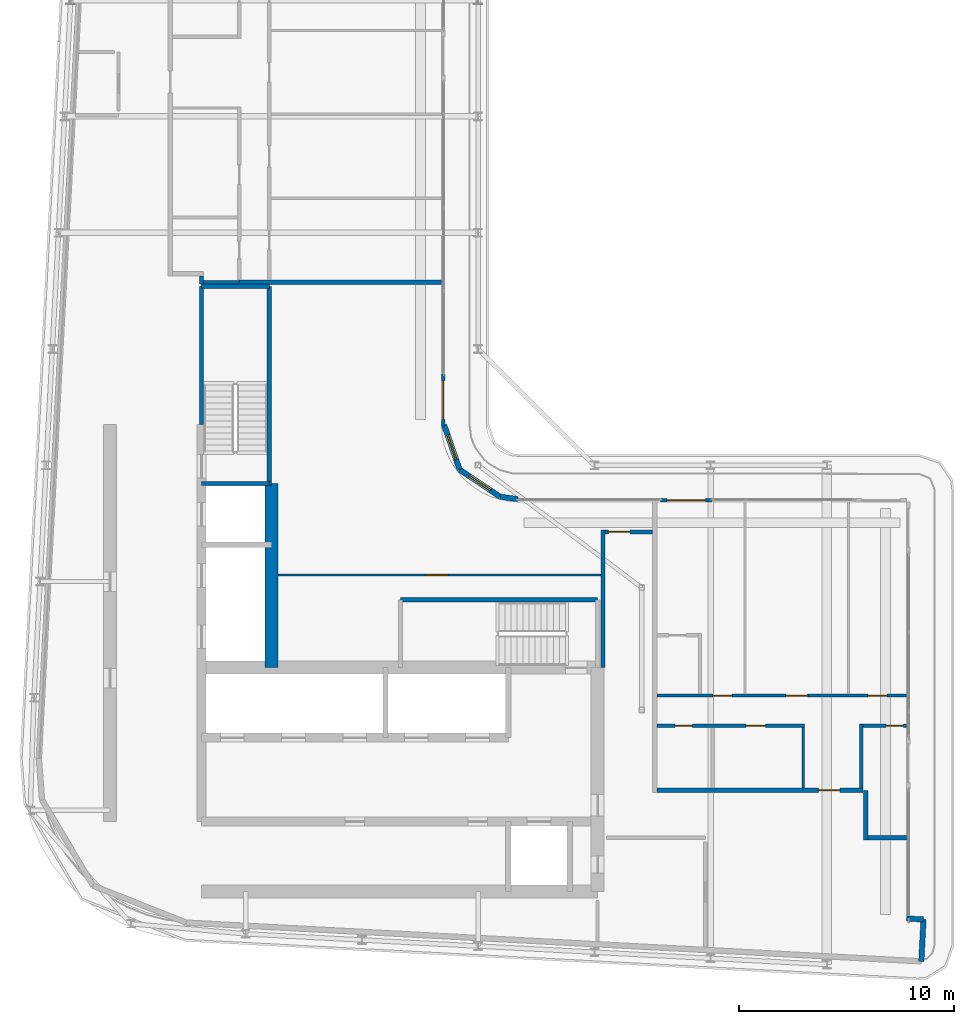
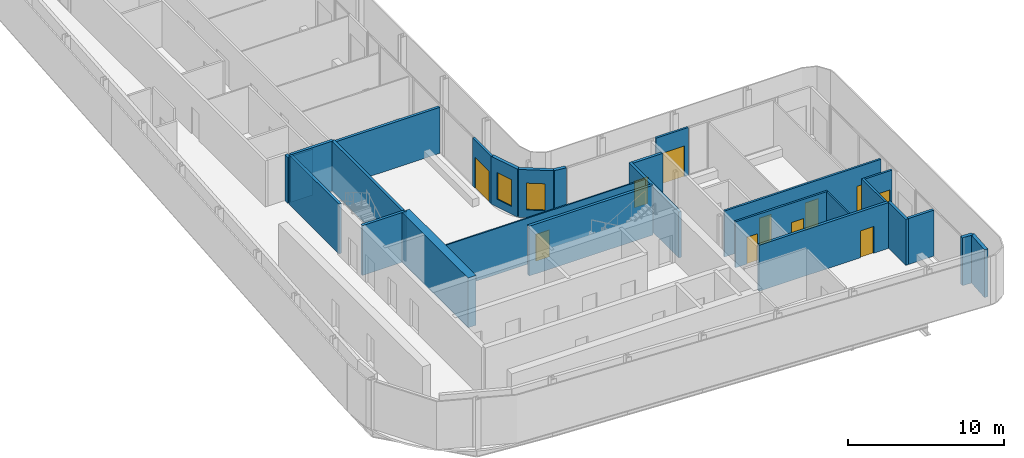
# One storey, part 12 of 21: 28 walls, 11 doors, 2 windows, 13 openings.
"""IFC4 building model written with IfcOpenShell, lengths in metres."""

from ifc_helpers import new_model, si_unit, direction, frame, frame_2d, origin, place, context, subcontext, project, spatial, rectangle, extrude, source, transform, mapped, material, layer, layer_set, type_object, element, fill, save


model = new_model("IFC4")

# Units and contexts
model_context = context("Model", 3, precision=1e-05, world=origin(), true_north=direction((0.0, 1.0)))
body_context = subcontext(model_context, "Body", "Model", "MODEL_VIEW")
ifc_project = project(units=[si_unit("LENGTHUNIT", "METRE"), si_unit("AREAUNIT", "SQUARE_METRE"), si_unit("VOLUMEUNIT", "CUBIC_METRE"), si_unit("PLANEANGLEUNIT", "RADIAN"), si_unit("MASSUNIT", "GRAM", prefix="KILO")], contexts=[model_context])

# Site, building, storey
site_placement = place(None, origin())
site = spatial("IfcSite", under=ifc_project, at=site_placement, CompositionType="ELEMENT")
building_placement = place(site_placement, origin())
building = spatial("IfcBuilding", under=site, at=building_placement, Name="Kheshtan School and Residences Tower", CompositionType="ELEMENT")
storey_placement = place(building_placement, frame((0.0, 0.0, 321.5)))
storey = spatial("IfcBuildingStorey", under=building, at=storey_placement, Name="L76", CompositionType="ELEMENT", Elevation=321.5)

# Walls
ifc_material_1 = material(Name="Concrete C60/75", Category="concrete")
ifc_layer_1 = layer(ifc_material_1, 0.60009765625)
ifc_layer_set_1 = layer_set([ifc_layer_1], Name="Core wall 600 Concrete C60/75")
wall_type_1 = type_object("IfcWallType", Name="Core wall 600 Concrete C60/75", PredefinedType="SHEAR", material=ifc_layer_set_1)
wall_1_placement = place(storey_placement, frame((38.0, 36.199951171875, 0.0), z_axis=(0.0, 0.0, 1.0), x_axis=(0.0, 1.0, 0.0)))
element("IfcWall", 1, at=wall_1_placement, inside=storey, type_object=wall_type_1, Name="Core wall CW-FRONT-W", PredefinedType="SHEAR", context=body_context, shape_type="SweptSolid", body=[
    extrude(rectangle(XDim=8.550048828125, YDim=0.60009765625, at=frame_2d((4.27490234375, 0.0))), origin(), (0.0, 0.0, 1.0), 3.89990234375),
])
ifc_material_2 = material(Name="Gypsum board on steel studs with fire boards", Category="steel")
ifc_layer_2 = layer(ifc_material_2, 0.199951171875)
ifc_layer_set_2 = layer_set([ifc_layer_2], Name="Corridor wall 200")
wall_type_2 = type_object("IfcWallType", Name="Corridor wall 200", PredefinedType="PARTITIONING", material=ifc_layer_set_2)
wall_2_placement = place(storey_placement, frame((34.75, 54.02490234375, 0.0), z_axis=(0.0, 0.0, 1.0), x_axis=(0.0, 1.0, 0.0)))
element("IfcWall", 2, at=wall_2_placement, inside=storey, type_object=wall_type_2, Name="Partition L76-014", PredefinedType="PARTITIONING", context=body_context, shape_type="SweptSolid", body=[
    extrude(rectangle(XDim=0.375, YDim=0.199951171875, at=frame_2d((0.1875, 0.0))), origin(), (0.0, 0.0, 1.0), 3.60009765625),
])
wall_3_placement = place(storey_placement, frame((53.39990234375, 36.198974609375, 0.0), z_axis=(0.0, 0.0, 1.0), x_axis=(0.0, 1.0, 0.0)))
element("IfcWall", 3, at=wall_3_placement, inside=storey, type_object=wall_type_2, Name="Partition L76-036", PredefinedType="PARTITIONING", context=body_context, shape_type="SweptSolid", body=[
    extrude(rectangle(XDim=6.401123046875, YDim=0.199951171875, at=frame_2d((3.20068359375, 0.0))), origin(), (0.0, 0.0, 1.0), 3.60009765625),
])

# Wall, opening, door
wall_4_placement = place(storey_placement, frame((53.5, 42.5, 0.0), z_axis=(0.0, 0.0, 1.0), x_axis=(1.0, 0.0, 0.0)))
wall_4 = element("IfcWall", 4, at=wall_4_placement, inside=storey, type_object=wall_type_2, Name="Partition L76-037", PredefinedType="PARTITIONING", context=body_context, shape_type="SweptSolid", body=[
    extrude(rectangle(XDim=2.199951171875, YDim=0.199951171875, at=frame_2d((1.10009765625, 0.0))), origin(), (0.0, 0.0, 1.0), 3.60009765625),
])
opening_1_placement = place(wall_4_placement, frame((0.14990234375, 0.0, 0.0)))
opening_1 = element("IfcOpeningElement", 5, at=opening_1_placement, cuts=wall_4, Name="Opening D75-033", PredefinedType="OPENING", context=body_context, shape_type="SweptSolid", body=[
    extrude(rectangle(XDim=1.0, YDim=2.10009765625, at=frame_2d((0.5, 1.050048828125))), frame((0.0, 0.10986328125, 0.0), z_axis=(0.0, -1.0, 0.0), x_axis=(1.0, 0.0, 0.0)), (0.0, 0.0, 1.0), 0.219970703125),
])
ifc_material_3 = material(Name="Steel-framed fire-resisting door leaf", Category="steel")
door_type_1 = type_object("IfcDoorType", Name="Fire door FD60 1000 x 2100", OperationType="SINGLE_SWING_LEFT", PredefinedType="DOOR", material=ifc_material_3)
shared_shape_1 = source(origin(), body_context, "Body", "SweptSolid", [
    extrude(rectangle(XDim=1.0, YDim=2.10009765625, at=frame_2d((0.5, 1.050048828125))), frame((0.0, 0.02490234375, 0.0), z_axis=(0.0, -1.0, 0.0), x_axis=(1.0, 0.0, 0.0)), (0.0, 0.0, 1.0), 0.050048828125),
])
door_1_placement = place(opening_1_placement, origin())
door_1 = element("IfcDoor", 6, at=door_1_placement, inside=storey, type_object=door_type_1, Name="Door D75-033", OperationType="SINGLE_SWING_RIGHT", OverallHeight=2.10009765625, OverallWidth=1.0, PredefinedType="DOOR", context=body_context, shape_type="MappedRepresentation", body=[
    mapped(shared_shape_1, transform((0.0, 0.0, 0.0), x_axis=(1.0, 0.0, 0.0), y_axis=(0.0, 1.0, 0.0), z_axis=(0.0, 0.0, 1.0), scale=1.0)),
])
fill(opening_1, door_1)

wall_5_placement = place(storey_placement, frame((55.89990234375, 30.5, 0.0), z_axis=(0.0, 0.0, 1.0), x_axis=(1.0, 0.0, 0.0)))
wall_5 = element("IfcWall", 7, at=wall_5_placement, inside=storey, type_object=wall_type_2, Name="Partition L76-039", PredefinedType="PARTITIONING", context=body_context, shape_type="SweptSolid", body=[
    extrude(rectangle(XDim=9.5751953125, YDim=0.199951171875, at=frame_2d((4.78759765625, 0.0))), origin(), (0.0, 0.0, 1.0), 3.60009765625),
])
opening_2_placement = place(wall_5_placement, frame((7.5, 0.0, 0.0)))
opening_2 = element("IfcOpeningElement", 8, at=opening_2_placement, cuts=wall_5, Name="Opening D75-004", PredefinedType="OPENING", context=body_context, shape_type="SweptSolid", body=[
    extrude(rectangle(XDim=1.0, YDim=2.10009765625, at=frame_2d((0.5, 1.050048828125))), frame((0.0, 0.10986328125, 0.0), z_axis=(0.0, -1.0, 0.0), x_axis=(1.0, 0.0, 0.0)), (0.0, 0.0, 1.0), 0.219970703125),
])
door_type_2 = type_object("IfcDoorType", Name="Fire door FD30S 1000 x 2100", OperationType="SINGLE_SWING_LEFT", PredefinedType="DOOR", material=ifc_material_3)
shared_shape_2 = source(origin(), body_context, "Body", "SweptSolid", [
    extrude(rectangle(XDim=1.0, YDim=2.10009765625, at=frame_2d((0.5, 1.050048828125))), frame((0.0, 0.02490234375, 0.0), z_axis=(0.0, -1.0, 0.0), x_axis=(1.0, 0.0, 0.0)), (0.0, 0.0, 1.0), 0.050048828125),
])
door_2_placement = place(opening_2_placement, origin())
door_2 = element("IfcDoor", 9, at=door_2_placement, inside=storey, type_object=door_type_2, Name="Door D75-004", OperationType="SINGLE_SWING_LEFT", OverallHeight=2.10009765625, OverallWidth=1.0, PredefinedType="DOOR", context=body_context, shape_type="MappedRepresentation", body=[
    mapped(shared_shape_2, transform((0.0, 0.0, 0.0), x_axis=(1.0, 0.0, 0.0), y_axis=(0.0, 1.0, 0.0), z_axis=(0.0, 0.0, 1.0), scale=1.0)),
])
fill(opening_2, door_2)

# Walls
wall_6_placement = place(storey_placement, frame((65.60009765625, 28.199951171875, 0.0), z_axis=(0.0, 0.0, 1.0), x_axis=(0.0, 1.0, 0.0)))
element("IfcWall", 10, at=wall_6_placement, inside=storey, type_object=wall_type_2, Name="Partition L76-050", PredefinedType="PARTITIONING", context=body_context, shape_type="SweptSolid", body=[
    extrude(rectangle(XDim=2.300048828125, YDim=0.199951171875, at=frame_2d((1.14990234375, 0.0))), origin(), (0.0, 0.0, 1.0), 3.60009765625),
])
wall_7_placement = place(storey_placement, frame((65.699951171875, 28.300048828125, 0.0), z_axis=(0.0, 0.0, 1.0), x_axis=(1.0, 0.0, 0.0)))
element("IfcWall", 11, at=wall_7_placement, inside=storey, type_object=wall_type_2, Name="Partition L76-051", PredefinedType="PARTITIONING", context=body_context, shape_type="SweptSolid", body=[
    extrude(rectangle(XDim=1.8701171875, YDim=0.199951171875, at=frame_2d((0.93505859375, 0.0))), origin(), (0.0, 0.0, 1.0), 3.60009765625),
])

# Wall, opening, window
ifc_material_4 = material(Name="Concrete C40/50 with ceramic cladding and mineral wool insulation", Category="concrete")
ifc_layer_3 = layer(ifc_material_4, 0.25)
ifc_layer_set_3 = layer_set([ifc_layer_3], Name="External wall 250 ceramic clad")
wall_type_3 = type_object("IfcWallType", Name="External wall 250 ceramic clad", PredefinedType="SOLIDWALL", material=ifc_layer_set_3)
wall_8_placement = place(storey_placement, frame((46.01806640625, 47.470947265625, 0.0), z_axis=(0.0, 0.0, 1.0), x_axis=(0.328791208903, -0.944402637093, 0.0)))
wall_8 = element("IfcWall", 12, at=wall_8_placement, inside=storey, type_object=wall_type_3, Name="External wall L76 9", PredefinedType="SOLIDWALL", context=body_context, shape_type="SweptSolid", body=[
    extrude(rectangle(XDim=2.20458984375, YDim=0.25, at=frame_2d((1.102294921875, 0.0))), origin(), (0.0, 0.0, 1.0), 3.75),
])
opening_3_placement = place(wall_8_placement, frame((0.5029296875, 0.0, 0.60009765625)))
opening_3 = element("IfcOpeningElement", 13, at=opening_3_placement, cuts=wall_8, Name="Opening WN-E", PredefinedType="OPENING", context=body_context, shape_type="SweptSolid", body=[
    extrude(rectangle(XDim=1.199951171875, YDim=2.10009765625, at=frame_2d((0.60009765625, 1.050048828125))), frame((0.0, 0.135009765625, 0.0), z_axis=(0.0, -1.0, 0.0), x_axis=(1.0, 0.0, 0.0)), (0.0, 0.0, 1.0), 0.27001953125),
])
ifc_material_5 = material(Name="Clear low-e glass in thermally broken aluminium frame", Category="aluminium")
window_type = type_object("IfcWindowType", Name="Window WN-E", PartitioningType="SINGLE_PANEL", PredefinedType="WINDOW", material=ifc_material_5)
shared_shape_3 = source(origin(), body_context, "Body", "SweptSolid", [
    extrude(rectangle(XDim=1.199951171875, YDim=2.10009765625, at=frame_2d((0.60009765625, 1.050048828125))), frame((0.0, 0.030029296875, 0.0), z_axis=(0.0, -1.0, 0.0), x_axis=(1.0, 0.0, 0.0)), (0.0, 0.0, 1.0), 0.06005859375),
])
window_1_placement = place(opening_3_placement, origin())
window_1 = element("IfcWindow", 14, at=window_1_placement, inside=storey, type_object=window_type, Name="Window L76 9", OverallHeight=2.10009765625, OverallWidth=1.199951171875, PartitioningType="SINGLE_PANEL", PredefinedType="WINDOW", context=body_context, shape_type="MappedRepresentation", body=[
    mapped(shared_shape_3, transform((0.0, 0.0, 0.0), x_axis=(1.0, 0.0, 0.0), y_axis=(0.0, 1.0, 0.0), z_axis=(0.0, 0.0, 1.0), scale=1.0)),
])
fill(opening_3, window_1)

wall_9_placement = place(storey_placement, frame((46.742919921875, 45.388916015625, 0.0), z_axis=(0.0, 0.0, 1.0), x_axis=(0.831449265529, -0.555600682912, 0.0)))
wall_9 = element("IfcWall", 15, at=wall_9_placement, inside=storey, type_object=wall_type_3, Name="External wall L76 10", PredefinedType="SOLIDWALL", context=body_context, shape_type="SweptSolid", body=[
    extrude(rectangle(XDim=2.25146484375, YDim=0.25, at=frame_2d((1.125732421875, 0.0))), origin(), (0.0, 0.0, 1.0), 3.75),
])
opening_4_placement = place(wall_9_placement, frame((0.52490234375, 0.0, 0.60009765625)))
opening_4 = element("IfcOpeningElement", 16, at=opening_4_placement, cuts=wall_9, Name="Opening WN-E", PredefinedType="OPENING", context=body_context, shape_type="SweptSolid", body=[
    extrude(rectangle(XDim=1.199951171875, YDim=2.10009765625, at=frame_2d((0.60009765625, 1.050048828125))), frame((0.0, 0.135009765625, 0.0), z_axis=(0.0, -1.0, 0.0), x_axis=(1.0, 0.0, 0.0)), (0.0, 0.0, 1.0), 0.27001953125),
])
window_2_placement = place(opening_4_placement, origin())
window_2 = element("IfcWindow", 17, at=window_2_placement, inside=storey, type_object=window_type, Name="Window L76 10", OverallHeight=2.10009765625, OverallWidth=1.199951171875, PartitioningType="SINGLE_PANEL", PredefinedType="WINDOW", context=body_context, shape_type="MappedRepresentation", body=[
    mapped(shared_shape_3, transform((0.0, 0.0, 0.0), x_axis=(1.0, 0.0, 0.0), y_axis=(0.0, 1.0, 0.0), z_axis=(0.0, 0.0, 1.0), scale=1.0)),
])
fill(opening_4, window_2)

# Walls
wall_10_placement = place(storey_placement, frame((48.614990234375, 44.137939453125, 0.0), z_axis=(0.0, 0.0, 1.0), x_axis=(0.990741504246, -0.135761819977, 0.0)))
element("IfcWall", 18, at=wall_10_placement, inside=storey, type_object=wall_type_3, Name="External wall L76 11", PredefinedType="SOLIDWALL", context=body_context, shape_type="SweptSolid", body=[
    extrude(rectangle(XDim=0.83984375, YDim=0.25, at=frame_2d((0.419921875, 0.0))), origin(), (0.0, 0.0, 1.0), 3.75),
])
wall_11_placement = place(storey_placement, frame((67.507080078125, 24.5439453125, 0.0), z_axis=(0.0, 0.0, 1.0), x_axis=(0.998561284263, -0.053622398031, 0.0)))
element("IfcWall", 19, at=wall_11_placement, inside=storey, type_object=wall_type_3, Name="External wall L76 14", PredefinedType="SOLIDWALL", context=body_context, shape_type="SweptSolid", body=[
    extrude(rectangle(XDim=0.783203125, YDim=0.25, at=frame_2d((0.3916015625, 0.0))), origin(), (0.0, 0.0, 1.0), 3.75),
])
wall_12_placement = place(storey_placement, frame((68.2890625, 24.501953125, 0.0), z_axis=(0.0, 0.0, 1.0), x_axis=(-0.052841433274, -0.998602915542, 0.0)))
element("IfcWall", 20, at=wall_12_placement, inside=storey, type_object=wall_type_3, Name="External wall L76 15", PredefinedType="SOLIDWALL", context=body_context, shape_type="SweptSolid", body=[
    extrude(rectangle(XDim=1.94970703125, YDim=0.25, at=frame_2d((0.974853515625, 0.0))), origin(), (0.0, 0.0, 1.0), 3.75),
])

# Wall, opening, door
ifc_material_6 = material(Name="Aluminium frame wall with insulated infill", Category="aluminium")
ifc_layer_4 = layer(ifc_material_6, 0.14990234375)
ifc_layer_set_4 = layer_set([ifc_layer_4], Name="Glazing frame wall 150")
wall_type_4 = type_object("IfcWallType", Name="Glazing frame wall 150", PredefinedType="SOLIDWALL", material=ifc_layer_set_4)
wall_13_placement = place(storey_placement, frame((45.97509765625, 49.830078125, 0.0), z_axis=(0.0, 0.0, 1.0), x_axis=(0.0, -1.0, 0.0)))
wall_13 = element("IfcWall", 21, at=wall_13_placement, inside=storey, type_object=wall_type_4, Name="Balcony door wall L76 8.5", PredefinedType="SOLIDWALL", context=body_context, shape_type="SweptSolid", body=[
    extrude(rectangle(XDim=2.400146484375, YDim=0.14990234375, at=frame_2d((1.2001953125, 0.0))), origin(), (0.0, 0.0, 1.0), 3.75),
])
opening_5_placement = place(wall_13_placement, frame((0.300048828125, 0.0, 0.0)))
opening_5 = element("IfcOpeningElement", 22, at=opening_5_placement, cuts=wall_13, Name="Opening BD", PredefinedType="OPENING", context=body_context, shape_type="SweptSolid", body=[
    extrude(rectangle(XDim=1.800048828125, YDim=2.39990234375, at=frame_2d((0.89990234375, 1.199951171875))), frame((0.0, 0.0849609375, 0.0), z_axis=(0.0, -1.0, 0.0), x_axis=(1.0, 0.0, 0.0)), (0.0, 0.0, 1.0), 0.169921875),
])
door_type_3 = type_object("IfcDoorType", Name="Balcony sliding door", OperationType="SLIDING_TO_LEFT", PredefinedType="DOOR", material=ifc_material_5)
shared_shape_4 = source(origin(), body_context, "Body", "SweptSolid", [
    extrude(rectangle(XDim=1.800048828125, YDim=2.39990234375, at=frame_2d((0.89990234375, 1.199951171875))), frame((0.0, 0.02490234375, 0.0), z_axis=(0.0, -1.0, 0.0), x_axis=(1.0, 0.0, 0.0)), (0.0, 0.0, 1.0), 0.050048828125),
])
door_3_placement = place(opening_5_placement, origin())
door_3 = element("IfcDoor", 23, at=door_3_placement, inside=storey, type_object=door_type_3, Name="Balcony door L76 8.5", OperationType="SLIDING_TO_LEFT", OverallHeight=2.39990234375, OverallWidth=1.800048828125, PredefinedType="DOOR", context=body_context, shape_type="MappedRepresentation", body=[
    mapped(shared_shape_4, transform((0.0, 0.0, 0.0), x_axis=(1.0, 0.0, 0.0), y_axis=(0.0, 1.0, 0.0), z_axis=(0.0, 0.0, 1.0), scale=1.0)),
])
fill(opening_5, door_3)

wall_14_placement = place(storey_placement, frame((56.06494140625, 43.97509765625, 0.0), z_axis=(0.0, 0.0, 1.0), x_axis=(1.0, 0.0, 0.0)))
wall_14 = element("IfcWall", 24, at=wall_14_placement, inside=storey, type_object=wall_type_4, Name="Balcony door wall L76 12.1", PredefinedType="SOLIDWALL", context=body_context, shape_type="SweptSolid", body=[
    extrude(rectangle(XDim=2.400146484375, YDim=0.14990234375, at=frame_2d((1.2001953125, 0.0))), origin(), (0.0, 0.0, 1.0), 3.75),
])
opening_6_placement = place(wall_14_placement, frame((0.300048828125, 0.0, 0.0)))
opening_6 = element("IfcOpeningElement", 25, at=opening_6_placement, cuts=wall_14, Name="Opening BD", PredefinedType="OPENING", context=body_context, shape_type="SweptSolid", body=[
    extrude(rectangle(XDim=1.800048828125, YDim=2.39990234375, at=frame_2d((0.89990234375, 1.199951171875))), frame((0.0, 0.0849609375, 0.0), z_axis=(0.0, -1.0, 0.0), x_axis=(1.0, 0.0, 0.0)), (0.0, 0.0, 1.0), 0.169921875),
])
door_4_placement = place(opening_6_placement, origin())
door_4 = element("IfcDoor", 26, at=door_4_placement, inside=storey, type_object=door_type_3, Name="Balcony door L76 12.1", OperationType="SLIDING_TO_LEFT", OverallHeight=2.39990234375, OverallWidth=1.800048828125, PredefinedType="DOOR", context=body_context, shape_type="MappedRepresentation", body=[
    mapped(shared_shape_4, transform((0.0, 0.0, 0.0), x_axis=(1.0, 0.0, 0.0), y_axis=(0.0, 1.0, 0.0), z_axis=(0.0, 0.0, 1.0), scale=1.0)),
])
fill(opening_6, door_4)

ifc_material_7 = material(Name="Gypsum board on steel studs", Category="steel")
ifc_layer_5 = layer(ifc_material_7, 0.10009765625)
ifc_layer_set_5 = layer_set([ifc_layer_5], Name="Gypsum partition 100")
wall_type_5 = type_object("IfcWallType", Name="Gypsum partition 100", PredefinedType="PARTITIONING", material=ifc_layer_set_5)
wall_15_placement = place(storey_placement, frame((38.299072265625, 40.5, 0.0), z_axis=(0.0, 0.0, 1.0), x_axis=(1.0, 0.0, 0.0)))
wall_15 = element("IfcWall", 27, at=wall_15_placement, inside=storey, type_object=wall_type_5, Name="Partition L76-034", PredefinedType="PARTITIONING", context=body_context, shape_type="SweptSolid", body=[
    extrude(rectangle(XDim=15.0009765625, YDim=0.10009765625, at=frame_2d((7.50048828125, 0.0))), origin(), (0.0, 0.0, 1.0), 3.60009765625),
])
opening_7_placement = place(wall_15_placement, frame((6.90087890625, 0.0, 0.0)))
opening_7 = element("IfcOpeningElement", 28, at=opening_7_placement, cuts=wall_15, Name="Opening D75-032", PredefinedType="OPENING", context=body_context, shape_type="SweptSolid", body=[
    extrude(rectangle(XDim=1.0, YDim=2.10009765625, at=frame_2d((0.5, 1.050048828125))), frame((0.0, 0.06005859375, 0.0), z_axis=(0.0, -1.0, 0.0), x_axis=(1.0, 0.0, 0.0)), (0.0, 0.0, 1.0), 0.1201171875),
])
ifc_material_8 = material(Name="Veneered timber door leaf", Category="wood")
door_type_4 = type_object("IfcDoorType", Name="Door 1000 x 2100", OperationType="SINGLE_SWING_LEFT", PredefinedType="DOOR", material=ifc_material_8)
shared_shape_5 = source(origin(), body_context, "Body", "SweptSolid", [
    extrude(rectangle(XDim=1.0, YDim=2.10009765625, at=frame_2d((0.5, 1.050048828125))), frame((0.0, 0.02490234375, 0.0), z_axis=(0.0, -1.0, 0.0), x_axis=(1.0, 0.0, 0.0)), (0.0, 0.0, 1.0), 0.050048828125),
])
door_5_placement = place(opening_7_placement, origin())
door_5 = element("IfcDoor", 29, at=door_5_placement, inside=storey, type_object=door_type_4, Name="Door D75-032", OperationType="SINGLE_SWING_RIGHT", OverallHeight=2.10009765625, OverallWidth=1.0, PredefinedType="DOOR", context=body_context, shape_type="MappedRepresentation", body=[
    mapped(shared_shape_5, transform((0.0, 0.0, 0.0), x_axis=(1.0, 0.0, 0.0), y_axis=(0.0, 1.0, 0.0), z_axis=(0.0, 0.0, 1.0), scale=1.0)),
])
fill(opening_7, door_5)

# Walls
wall_16_placement = place(storey_placement, frame((62.699951171875, 30.60009765625, 0.0), z_axis=(0.0, 0.0, 1.0), x_axis=(0.0, 1.0, 0.0)))
element("IfcWall", 30, at=wall_16_placement, inside=storey, type_object=wall_type_5, Name="Partition L76-046", PredefinedType="PARTITIONING", context=body_context, shape_type="SweptSolid", body=[
    extrude(rectangle(XDim=2.824951171875, YDim=0.10009765625, at=frame_2d((1.41259765625, 0.0))), origin(), (0.0, 0.0, 1.0), 3.60009765625),
])
ifc_material_9 = material(Name="Fire-board shaft wall system")
ifc_layer_6 = layer(ifc_material_9, 0.25)
ifc_layer_set_6 = layer_set([ifc_layer_6], Name="Shaft lining wall 250")
wall_type_6 = type_object("IfcWallType", Name="Shaft lining wall 250", PredefinedType="PARTITIONING", material=ifc_layer_set_6)
wall_17_placement = place(storey_placement, frame((37.89990234375, 44.75, 0.0), z_axis=(0.0, 0.0, 1.0), x_axis=(1.0, 0.0, 0.0)))
element("IfcWall", 31, at=wall_17_placement, inside=storey, type_object=wall_type_6, Name="Shaft lining wall", PredefinedType="PARTITIONING", context=body_context, shape_type="SweptSolid", body=[
    extrude(rectangle(XDim=0.10009765625, YDim=0.25, at=frame_2d((0.050048828125, 0.0))), origin(), (0.0, 0.0, 1.0), 3.89990234375),
])
ifc_material_10 = material(Name="Concrete C40/50", Category="concrete")
ifc_layer_7 = layer(ifc_material_10, 0.199951171875)
ifc_layer_set_7 = layer_set([ifc_layer_7], Name="Stair enclosure wall 200 Concrete C40/50")
wall_type_7 = type_object("IfcWallType", Name="Stair enclosure wall 200 Concrete C40/50", PredefinedType="SHEAR", material=ifc_layer_set_7)
wall_18_placement = place(storey_placement, frame((43.989990234375, 39.35009765625, 0.0), z_axis=(0.0, 0.0, 1.0), x_axis=(1.0, 0.0, 0.0)))
element("IfcWall", 32, at=wall_18_placement, inside=storey, type_object=wall_type_7, Name="Stair enclosure wall ST1", PredefinedType="SHEAR", context=body_context, shape_type="SweptSolid", body=[
    extrude(rectangle(XDim=9.159912109375, YDim=0.199951171875, at=frame_2d((4.580078125, 0.0))), origin(), (0.0, 0.0, 1.0), 3.89990234375),
])
for number, where, z_axis, x_axis, name in (
    (33, (34.75, 44.75, 0.0), (0.0, 0.0, 1.0), (1.0, 0.0, 0.0), "Stair enclosure wall ST2"),
    (34, (34.75, 53.909912109375, 0.0), (0.0, 0.0, 1.0), (1.0, 0.0, 0.0), "Stair enclosure wall ST2"),
):
    element("IfcWall", number, at=place(storey_placement, frame(where, z_axis=z_axis, x_axis=x_axis)), inside=storey, type_object=wall_type_7, Name=name, PredefinedType="SHEAR", context=body_context, shape_type="SweptSolid", body=[
        extrude(rectangle(XDim=3.14990234375, YDim=0.199951171875, at=frame_2d((1.574951171875, 0.0))), origin(), (0.0, 0.0, 1.0), 3.89990234375),
    ])
wall_19_placement = place(storey_placement, frame((34.75, 47.5, 0.0), z_axis=(0.0, 0.0, 1.0), x_axis=(0.0, 1.0, 0.0)))
element("IfcWall", 35, at=wall_19_placement, inside=storey, type_object=wall_type_7, Name="Stair enclosure wall ST2", PredefinedType="SHEAR", context=body_context, shape_type="SweptSolid", body=[
    extrude(rectangle(XDim=6.409912109375, YDim=0.199951171875, at=frame_2d((3.205078125, 0.0))), origin(), (0.0, 0.0, 1.0), 3.89990234375),
])
wall_20_placement = place(storey_placement, frame((37.89990234375, 44.75, 0.0), z_axis=(0.0, 0.0, 1.0), x_axis=(0.0, 1.0, 0.0)))
element("IfcWall", 36, at=wall_20_placement, inside=storey, type_object=wall_type_7, Name="Stair enclosure wall ST2", PredefinedType="SHEAR", context=body_context, shape_type="SweptSolid", body=[
    extrude(rectangle(XDim=9.159912109375, YDim=0.199951171875, at=frame_2d((4.580078125, 0.0))), origin(), (0.0, 0.0, 1.0), 3.89990234375),
])
ifc_material_11 = material(Name="Twin gypsum board on steel studs with mineral wool", Category="steel")
ifc_layer_8 = layer(ifc_material_11, 0.199951171875)
ifc_layer_set_8 = layer_set([ifc_layer_8], Name="Unit demising wall 200")
wall_type_8 = type_object("IfcWallType", Name="Unit demising wall 200", PredefinedType="PARTITIONING", material=ifc_layer_set_8)
wall_21_placement = place(storey_placement, frame((36.5, 54.10009765625, 0.0), z_axis=(0.0, 0.0, 1.0), x_axis=(1.0, 0.0, 0.0)))
element("IfcWall", 37, at=wall_21_placement, inside=storey, type_object=wall_type_8, Name="Partition L76-017", PredefinedType="PARTITIONING", context=body_context, shape_type="SweptSolid", body=[
    extrude(rectangle(XDim=9.39990234375, YDim=0.199951171875, at=frame_2d((4.699951171875, 0.0))), origin(), (0.0, 0.0, 1.0), 3.60009765625),
])
ifc_material_12 = material(Name="Moisture-resistant gypsum board on steel studs", Category="steel")
ifc_layer_9 = layer(ifc_material_12, 0.14990234375)
ifc_layer_set_9 = layer_set([ifc_layer_9], Name="Wet-room partition 150")
wall_type_9 = type_object("IfcWallType", Name="Wet-room partition 150", PredefinedType="PARTITIONING", material=ifc_layer_set_9)
wall_22_placement = place(storey_placement, frame((34.85009765625, 54.10009765625, 0.0), z_axis=(0.0, 0.0, 1.0), x_axis=(1.0, 0.0, 0.0)))
element("IfcWall", 38, at=wall_22_placement, inside=storey, type_object=wall_type_9, Name="Partition L76-015", PredefinedType="PARTITIONING", context=body_context, shape_type="SweptSolid", body=[
    extrude(rectangle(XDim=1.64990234375, YDim=0.14990234375, at=frame_2d((0.824951171875, 0.0))), origin(), (0.0, 0.0, 1.0), 3.60009765625),
])

# Wall, openings, doors
wall_23_placement = place(storey_placement, frame((55.89990234375, 33.5, 0.0), z_axis=(0.0, 0.0, 1.0), x_axis=(1.0, 0.0, 0.0)))
wall_23 = element("IfcWall", 39, at=wall_23_placement, inside=storey, type_object=wall_type_9, Name="Partition L76-040", PredefinedType="PARTITIONING", context=body_context, shape_type="SweptSolid", body=[
    extrude(rectangle(XDim=6.85009765625, YDim=0.14990234375, at=frame_2d((3.425048828125, 0.0))), origin(), (0.0, 0.0, 1.0), 3.60009765625),
])
opening_8_placement = place(wall_23_placement, frame((0.85009765625, 0.0, 0.0)))
opening_8 = element("IfcOpeningElement", 40, at=opening_8_placement, cuts=wall_23, Name="Opening D75-001", PredefinedType="OPENING", context=body_context, shape_type="SweptSolid", body=[
    extrude(rectangle(XDim=0.800048828125, YDim=2.10009765625, at=frame_2d((0.39990234375, 1.050048828125))), frame((0.0, 0.0849609375, 0.0), z_axis=(0.0, -1.0, 0.0), x_axis=(1.0, 0.0, 0.0)), (0.0, 0.0, 1.0), 0.169921875),
])
opening_9_placement = place(wall_23_placement, frame((4.14990234375, 0.0, 0.0)))
opening_9 = element("IfcOpeningElement", 41, at=opening_9_placement, cuts=wall_23, Name="Opening D75-005", PredefinedType="OPENING", context=body_context, shape_type="SweptSolid", body=[
    extrude(rectangle(XDim=0.89990234375, YDim=2.10009765625, at=frame_2d((0.449951171875, 1.050048828125))), frame((0.0, 0.0849609375, 0.0), z_axis=(0.0, -1.0, 0.0), x_axis=(1.0, 0.0, 0.0)), (0.0, 0.0, 1.0), 0.169921875),
])
door_type_5 = type_object("IfcDoorType", Name="Door 800 x 2100", OperationType="SINGLE_SWING_LEFT", PredefinedType="DOOR", material=ifc_material_8)
shared_shape_6 = source(origin(), body_context, "Body", "SweptSolid", [
    extrude(rectangle(XDim=0.800048828125, YDim=2.10009765625, at=frame_2d((0.39990234375, 1.050048828125))), frame((0.0, 0.02490234375, 0.0), z_axis=(0.0, -1.0, 0.0), x_axis=(1.0, 0.0, 0.0)), (0.0, 0.0, 1.0), 0.050048828125),
])
door_6_placement = place(opening_8_placement, origin())
door_6 = element("IfcDoor", 42, at=door_6_placement, inside=storey, type_object=door_type_5, Name="Door D75-001", OperationType="SINGLE_SWING_LEFT", OverallHeight=2.10009765625, OverallWidth=0.800048828125, PredefinedType="DOOR", context=body_context, shape_type="MappedRepresentation", body=[
    mapped(shared_shape_6, transform((0.0, 0.0, 0.0), x_axis=(1.0, 0.0, 0.0), y_axis=(0.0, 1.0, 0.0), z_axis=(0.0, 0.0, 1.0), scale=1.0)),
])
fill(opening_8, door_6)
door_type_6 = type_object("IfcDoorType", Name="Door 900 x 2100", OperationType="SINGLE_SWING_LEFT", PredefinedType="DOOR", material=ifc_material_8)
shared_shape_7 = source(origin(), body_context, "Body", "SweptSolid", [
    extrude(rectangle(XDim=0.89990234375, YDim=2.10009765625, at=frame_2d((0.449951171875, 1.050048828125))), frame((0.0, 0.02490234375, 0.0), z_axis=(0.0, -1.0, 0.0), x_axis=(1.0, 0.0, 0.0)), (0.0, 0.0, 1.0), 0.050048828125),
])
door_7_placement = place(opening_9_placement, origin())
door_7 = element("IfcDoor", 43, at=door_7_placement, inside=storey, type_object=door_type_6, Name="Door D75-005", OperationType="SINGLE_SWING_LEFT", OverallHeight=2.10009765625, OverallWidth=0.89990234375, PredefinedType="DOOR", context=body_context, shape_type="MappedRepresentation", body=[
    mapped(shared_shape_7, transform((0.0, 0.0, 0.0), x_axis=(1.0, 0.0, 0.0), y_axis=(0.0, 1.0, 0.0), z_axis=(0.0, 0.0, 1.0), scale=1.0)),
])
fill(opening_9, door_7)

wall_24_placement = place(storey_placement, frame((55.89990234375, 34.89990234375, 0.0), z_axis=(0.0, 0.0, 1.0), x_axis=(1.0, 0.0, 0.0)))
wall_24 = element("IfcWall", 44, at=wall_24_placement, inside=storey, type_object=wall_type_9, Name="Partition L76-041", PredefinedType="PARTITIONING", context=body_context, shape_type="SweptSolid", body=[
    extrude(rectangle(XDim=11.60009765625, YDim=0.14990234375, at=frame_2d((5.800048828125, 0.0))), origin(), (0.0, 0.0, 1.0), 3.60009765625),
])
opening_10_placement = place(wall_24_placement, frame((9.800048828125, 0.0, 0.0)))
opening_10 = element("IfcOpeningElement", 45, at=opening_10_placement, cuts=wall_24, Name="Opening D75-002", PredefinedType="OPENING", context=body_context, shape_type="SweptSolid", body=[
    extrude(rectangle(XDim=0.89990234375, YDim=2.10009765625, at=frame_2d((0.449951171875, 1.050048828125))), frame((0.0, 0.0849609375, 0.0), z_axis=(0.0, -1.0, 0.0), x_axis=(1.0, 0.0, 0.0)), (0.0, 0.0, 1.0), 0.169921875),
])
opening_11_placement = place(wall_24_placement, frame((6.0, 0.0, 0.0)))
opening_11 = element("IfcOpeningElement", 46, at=opening_11_placement, cuts=wall_24, Name="Opening D75-006", PredefinedType="OPENING", context=body_context, shape_type="SweptSolid", body=[
    extrude(rectangle(XDim=1.0, YDim=2.10009765625, at=frame_2d((0.5, 1.050048828125))), frame((0.0, 0.0849609375, 0.0), z_axis=(0.0, -1.0, 0.0), x_axis=(1.0, 0.0, 0.0)), (0.0, 0.0, 1.0), 0.169921875),
])
opening_12_placement = place(wall_24_placement, frame((2.60009765625, 0.0, 0.0)))
opening_12 = element("IfcOpeningElement", 47, at=opening_12_placement, cuts=wall_24, Name="Opening D75-007", PredefinedType="OPENING", context=body_context, shape_type="SweptSolid", body=[
    extrude(rectangle(XDim=0.89990234375, YDim=2.10009765625, at=frame_2d((0.449951171875, 1.050048828125))), frame((0.0, 0.0849609375, 0.0), z_axis=(0.0, -1.0, 0.0), x_axis=(1.0, 0.0, 0.0)), (0.0, 0.0, 1.0), 0.169921875),
])
door_8_placement = place(opening_11_placement, origin())
door_8 = element("IfcDoor", 48, at=door_8_placement, inside=storey, type_object=door_type_4, Name="Door D75-006", OperationType="SINGLE_SWING_LEFT", OverallHeight=2.10009765625, OverallWidth=1.0, PredefinedType="DOOR", context=body_context, shape_type="MappedRepresentation", body=[
    mapped(shared_shape_5, transform((0.0, 0.0, 0.0), x_axis=(1.0, 0.0, 0.0), y_axis=(0.0, 1.0, 0.0), z_axis=(0.0, 0.0, 1.0), scale=1.0)),
])
fill(opening_11, door_8)
door_9_placement = place(opening_10_placement, origin())
door_9 = element("IfcDoor", 49, at=door_9_placement, inside=storey, type_object=door_type_6, Name="Door D75-002", OperationType="SINGLE_SWING_LEFT", OverallHeight=2.10009765625, OverallWidth=0.89990234375, PredefinedType="DOOR", context=body_context, shape_type="MappedRepresentation", body=[
    mapped(shared_shape_7, transform((0.0, 0.0, 0.0), x_axis=(1.0, 0.0, 0.0), y_axis=(0.0, 1.0, 0.0), z_axis=(0.0, 0.0, 1.0), scale=1.0)),
])
fill(opening_10, door_9)
door_10_placement = place(opening_12_placement, origin())
door_10 = element("IfcDoor", 50, at=door_10_placement, inside=storey, type_object=door_type_6, Name="Door D75-007", OperationType="SINGLE_SWING_LEFT", OverallHeight=2.10009765625, OverallWidth=0.89990234375, PredefinedType="DOOR", context=body_context, shape_type="MappedRepresentation", body=[
    mapped(shared_shape_7, transform((0.0, 0.0, 0.0), x_axis=(1.0, 0.0, 0.0), y_axis=(0.0, 1.0, 0.0), z_axis=(0.0, 0.0, 1.0), scale=1.0)),
])
fill(opening_12, door_10)

# Wall
wall_25_placement = place(storey_placement, frame((65.39990234375, 30.60009765625, 0.0), z_axis=(0.0, 0.0, 1.0), x_axis=(0.0, 1.0, 0.0)))
element("IfcWall", 51, at=wall_25_placement, inside=storey, type_object=wall_type_9, Name="Partition L76-048", PredefinedType="PARTITIONING", context=body_context, shape_type="SweptSolid", body=[
    extrude(rectangle(XDim=2.974853515625, YDim=0.14990234375, at=frame_2d((1.4873046875, 0.0))), origin(), (0.0, 0.0, 1.0), 3.60009765625),
])

# Wall, opening, door
wall_26_placement = place(storey_placement, frame((65.47509765625, 33.5, 0.0), z_axis=(0.0, 0.0, 1.0), x_axis=(1.0, 0.0, 0.0)))
wall_26 = element("IfcWall", 52, at=wall_26_placement, inside=storey, type_object=wall_type_9, Name="Partition L76-049", PredefinedType="PARTITIONING", context=body_context, shape_type="SweptSolid", body=[
    extrude(rectangle(XDim=2.02490234375, YDim=0.14990234375, at=frame_2d((1.012451171875, 0.0))), origin(), (0.0, 0.0, 1.0), 3.60009765625),
])
opening_13_placement = place(wall_26_placement, frame((1.074951171875, 0.0, 0.0)))
opening_13 = element("IfcOpeningElement", 53, at=opening_13_placement, cuts=wall_26, Name="Opening D75-008", PredefinedType="OPENING", context=body_context, shape_type="SweptSolid", body=[
    extrude(rectangle(XDim=0.800048828125, YDim=2.10009765625, at=frame_2d((0.39990234375, 1.050048828125))), frame((0.0, 0.0849609375, 0.0), z_axis=(0.0, -1.0, 0.0), x_axis=(1.0, 0.0, 0.0)), (0.0, 0.0, 1.0), 0.169921875),
])
door_11_placement = place(opening_13_placement, origin())
door_11 = element("IfcDoor", 54, at=door_11_placement, inside=storey, type_object=door_type_5, Name="Door D75-008", OperationType="SINGLE_SWING_RIGHT", OverallHeight=2.10009765625, OverallWidth=0.800048828125, PredefinedType="DOOR", context=body_context, shape_type="MappedRepresentation", body=[
    mapped(shared_shape_6, transform((0.0, 0.0, 0.0), x_axis=(1.0, 0.0, 0.0), y_axis=(0.0, 1.0, 0.0), z_axis=(0.0, 0.0, 1.0), scale=1.0)),
])
fill(opening_13, door_11)

save(model, "model.ifc")
